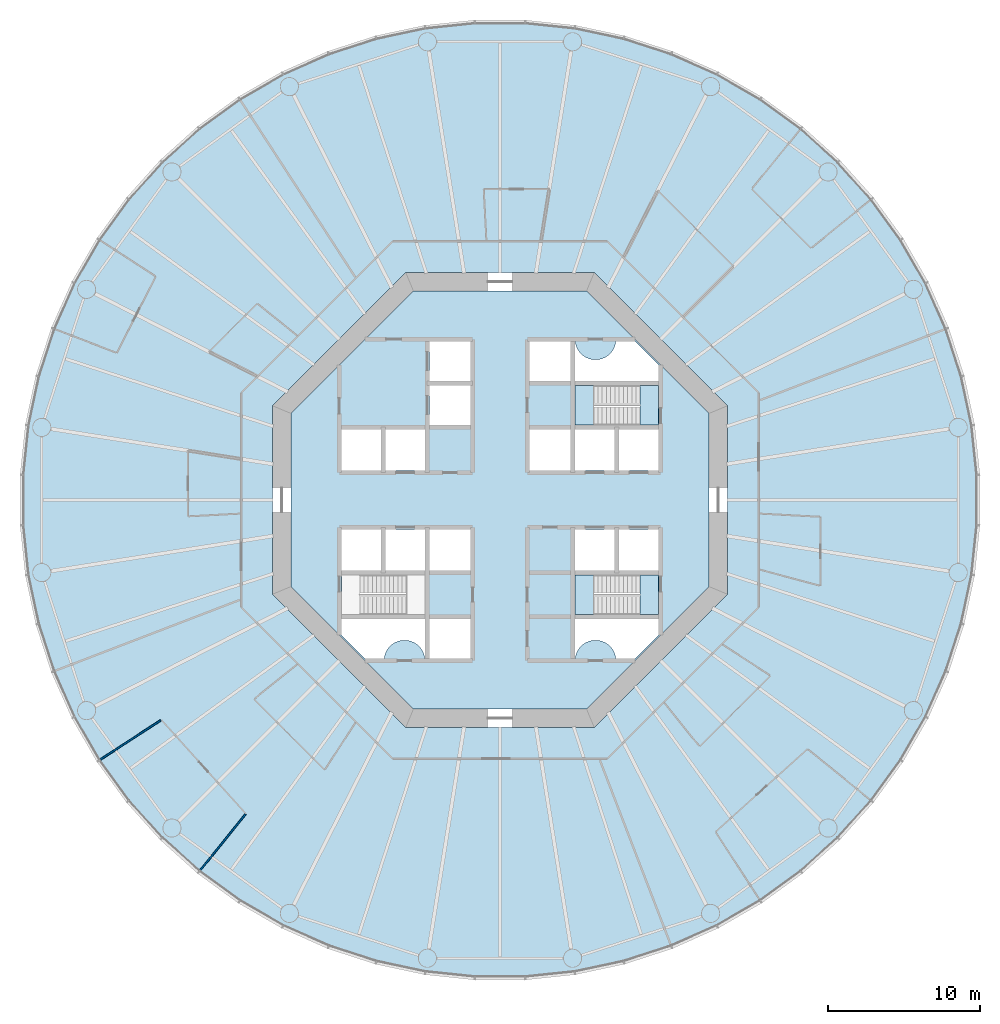
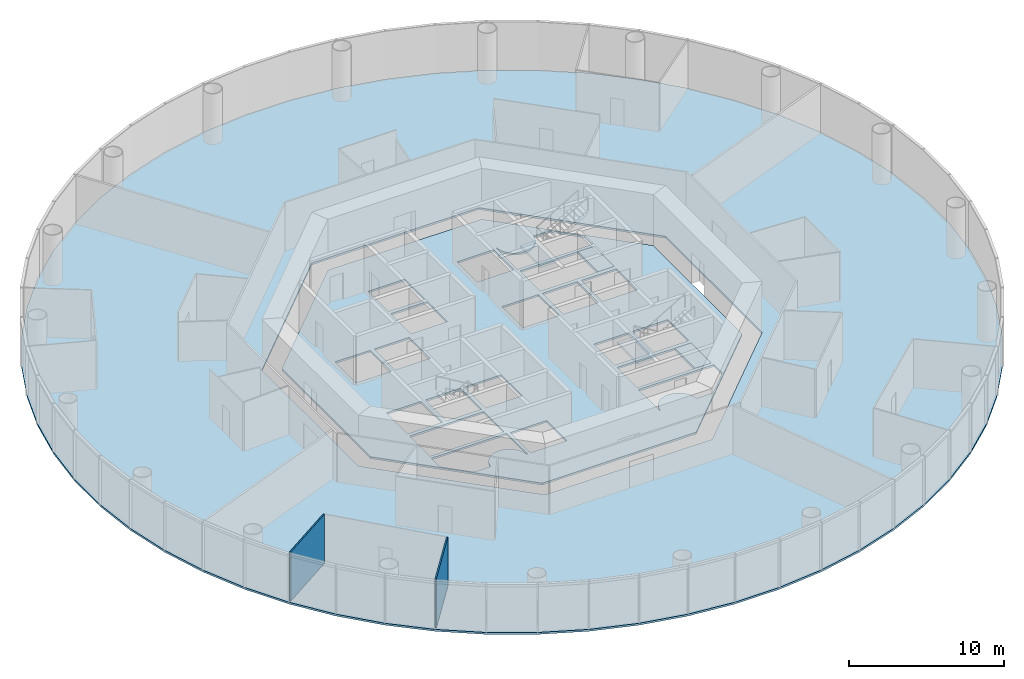
# One storey, part 2 of 13: 6 slabs, 2 walls, 2 elements without a shape of their own.
"""IFC4 building model written with IfcOpenShell, lengths in metres."""

from ifc_helpers import new_model, si_unit, direction, frame, frame_2d, origin, place, context, subcontext, project, spatial, polyline, rectangle, outline, extrude, material, layer, layer_set, type_object, element, aggregate, save


model = new_model("IFC4")

# Units and contexts
model_context = context("Model", 3, precision=1e-05, world=origin(), true_north=direction((0.0, 1.0)))
body_context = subcontext(model_context, "Body", "Model", "MODEL_VIEW")
ifc_project = project(units=[si_unit("LENGTHUNIT", "METRE"), si_unit("AREAUNIT", "SQUARE_METRE"), si_unit("VOLUMEUNIT", "CUBIC_METRE"), si_unit("PLANEANGLEUNIT", "RADIAN"), si_unit("MASSUNIT", "GRAM", prefix="KILO")], contexts=[model_context])

# Site, building, storey
site_placement = place(None, origin())
site = spatial("IfcSite", under=ifc_project, at=site_placement, CompositionType="ELEMENT")
building_placement = place(site_placement, origin())
building = spatial("IfcBuilding", under=site, at=building_placement, Name="Entoto Ring Tower", CompositionType="ELEMENT")
storey_placement = place(building_placement, frame((0.0, 0.0, 108.0)))
storey = spatial("IfcBuildingStorey", under=building, at=storey_placement, Name="L24", CompositionType="ELEMENT", Elevation=108.0)

# Slabs
ifc_material_1 = material(Name="Concrete C30/37", Category="concrete")
ifc_layer_1 = layer(ifc_material_1, 0.14990234375)
ifc_layer_set_1 = layer_set([ifc_layer_1], Name="Concrete C30/37")
slab_type_1 = type_object("IfcSlabType", Name="Composite floor slab 150 mm", PredefinedType="FLOOR", material=ifc_layer_set_1)
slab_1_placement = place(storey_placement, frame((0.0, 0.0, -0.14990234375)))
element("IfcSlab", 1, at=slab_1_placement, inside=storey, type_object=slab_type_1, Name="Floor slab L24", PredefinedType="FLOOR", context=body_context, shape_type="SweptSolid", body=[
    extrude(outline(polyline([(121.2109375, 84.943359375), (120.523193359375, 88.1787109375), (119.501220703125, 91.324462890625), (118.15576171875, 94.34619140625), (116.501953125, 97.210693359375), (114.557861328125, 99.886474609375), (112.344482421875, 102.344482421875), (109.886474609375, 104.557861328125), (107.210693359375, 106.501953125), (104.34619140625, 108.15576171875), (101.324462890625, 109.501220703125), (98.1787109375, 110.523193359375), (94.943359375, 111.2109375), (91.65380859375, 111.556640625), (88.34619140625, 111.556640625), (85.056640625, 111.2109375), (81.8212890625, 110.523193359375), (78.675537109375, 109.501220703125), (75.65380859375, 108.15576171875), (72.789306640625, 106.501953125), (70.113525390625, 104.557861328125), (67.655517578125, 102.344482421875), (65.442138671875, 99.886474609375), (63.498046875, 97.210693359375), (61.84423828125, 94.34619140625), (60.498779296875, 91.324462890625), (59.476806640625, 88.1787109375), (58.7890625, 84.943359375), (58.443359375, 81.65380859375), (58.443359375, 78.34619140625), (58.7890625, 75.056640625), (59.476806640625, 71.8212890625), (60.498779296875, 68.675537109375), (61.84423828125, 65.65380859375), (63.498046875, 62.789306640625), (65.442138671875, 60.113525390625), (67.655517578125, 57.655517578125), (70.113525390625, 55.442138671875), (72.789306640625, 53.498046875), (75.65380859375, 51.84423828125), (78.675537109375, 50.498779296875), (81.8212890625, 49.476806640625), (85.056640625, 48.7890625), (88.34619140625, 48.443359375), (91.65380859375, 48.443359375), (94.943359375, 48.7890625), (98.1787109375, 49.476806640625), (101.324462890625, 50.498779296875), (104.34619140625, 51.84423828125), (107.210693359375, 53.498046875), (109.886474609375, 55.442138671875), (112.344482421875, 57.655517578125), (114.557861328125, 60.113525390625), (116.501953125, 62.789306640625), (118.15576171875, 65.65380859375), (119.501220703125, 68.675537109375), (120.523193359375, 71.8212890625), (121.2109375, 75.056640625), (121.556640625, 78.34619140625), (121.556640625, 81.65380859375), (121.2109375, 84.943359375)]), holes=[polyline([(105.0, 73.786865234375), (105.0, 86.213134765625), (96.213134765625, 95.0), (83.786865234375, 95.0), (75.0, 86.213134765625), (75.0, 73.786865234375), (83.786865234375, 65.0), (96.213134765625, 65.0), (105.0, 73.786865234375)])]), origin(), (0.0, 0.0, 1.0), 0.14990234375),
])
ifc_material_2 = material(Name="Concrete C40/50", Category="concrete")
ifc_layer_2 = layer(ifc_material_2, 0.14990234375)
ifc_layer_set_2 = layer_set([ifc_layer_2], Name="Concrete C40/50")
slab_type_2 = type_object("IfcSlabType", Name="Core floor slab 150 mm reinforced concrete C40/50", PredefinedType="FLOOR", material=ifc_layer_set_2)
slab_2_placement = place(storey_placement, frame((0.0, 0.0, -0.14990234375)))
element("IfcSlab", 2, at=slab_2_placement, inside=storey, type_object=slab_type_2, Name="Core floor L24", PredefinedType="FLOOR", context=body_context, shape_type="SweptSolid", body=[
    extrude(outline(polyline([(103.800048828125, 74.283935546875), (103.800048828125, 85.716064453125), (95.716064453125, 93.800048828125), (84.283935546875, 93.800048828125), (76.199951171875, 85.716064453125), (76.199951171875, 74.283935546875), (84.283935546875, 66.199951171875), (95.716064453125, 66.199951171875), (103.800048828125, 74.283935546875)]), holes=[polyline([(100.449951171875, 84.949951171875), (100.449951171875, 87.550048828125), (94.949951171875, 87.550048828125), (94.949951171875, 84.949951171875), (100.449951171875, 84.949951171875)]), polyline([(85.050048828125, 72.449951171875), (85.050048828125, 75.050048828125), (79.550048828125, 75.050048828125), (79.550048828125, 72.449951171875), (85.050048828125, 72.449951171875)]), polyline([(100.449951171875, 72.449951171875), (100.449951171875, 75.050048828125), (94.949951171875, 75.050048828125), (94.949951171875, 72.449951171875), (100.449951171875, 72.449951171875)]), polyline([(94.949951171875, 81.949951171875), (97.550048828125, 81.949951171875), (97.550048828125, 84.64990234375), (94.949951171875, 84.64990234375), (94.949951171875, 81.949951171875)]), polyline([(97.85009765625, 81.949951171875), (100.449951171875, 81.949951171875), (100.449951171875, 84.64990234375), (97.85009765625, 84.64990234375), (97.85009765625, 81.949951171875)]), polyline([(82.449951171875, 81.949951171875), (85.050048828125, 81.949951171875), (85.050048828125, 84.64990234375), (82.449951171875, 84.64990234375), (82.449951171875, 81.949951171875)]), polyline([(94.949951171875, 75.35009765625), (97.550048828125, 75.35009765625), (97.550048828125, 78.050048828125), (94.949951171875, 78.050048828125), (94.949951171875, 75.35009765625)]), polyline([(97.85009765625, 75.35009765625), (100.449951171875, 75.35009765625), (100.449951171875, 78.050048828125), (97.85009765625, 78.050048828125), (97.85009765625, 75.35009765625)]), polyline([(82.449951171875, 75.35009765625), (85.050048828125, 75.35009765625), (85.050048828125, 78.050048828125), (82.449951171875, 78.050048828125), (82.449951171875, 75.35009765625)]), polyline([(79.550048828125, 81.949951171875), (82.14990234375, 81.949951171875), (82.14990234375, 84.64990234375), (79.550048828125, 84.64990234375), (79.550048828125, 81.949951171875)]), polyline([(79.550048828125, 75.35009765625), (82.14990234375, 75.35009765625), (82.14990234375, 78.050048828125), (79.550048828125, 78.050048828125), (79.550048828125, 75.35009765625)]), polyline([(91.949951171875, 87.85009765625), (94.64990234375, 87.85009765625), (94.64990234375, 90.449951171875), (91.949951171875, 90.449951171875), (91.949951171875, 87.85009765625)]), polyline([(85.35009765625, 69.550048828125), (88.050048828125, 69.550048828125), (88.050048828125, 72.14990234375), (85.35009765625, 72.14990234375), (85.35009765625, 69.550048828125)]), polyline([(91.949951171875, 81.949951171875), (94.64990234375, 81.949951171875), (94.64990234375, 84.64990234375), (91.949951171875, 84.64990234375), (91.949951171875, 81.949951171875)]), polyline([(85.35009765625, 75.35009765625), (88.050048828125, 75.35009765625), (88.050048828125, 78.050048828125), (85.35009765625, 78.050048828125), (85.35009765625, 75.35009765625)]), polyline([(85.35009765625, 84.949951171875), (88.050048828125, 84.949951171875), (88.050048828125, 87.550048828125), (85.35009765625, 87.550048828125), (85.35009765625, 84.949951171875)]), polyline([(85.35009765625, 87.85009765625), (88.050048828125, 87.85009765625), (88.050048828125, 90.449951171875), (85.35009765625, 90.449951171875), (85.35009765625, 87.85009765625)]), polyline([(94.89990234375, 90.5), (94.89990234375, 87.800048828125), (100.5, 87.800048828125), (100.5, 88.874755859375), (98.874755859375, 90.5), (97.64501953125, 90.5), (97.6435546875, 90.4677734375), (97.6240234375, 90.336669921875), (97.591796875, 90.2080078125), (97.547119140625, 90.08349609375), (97.490478515625, 89.963623046875), (97.422607421875, 89.85009765625), (97.343505859375, 89.74365234375), (97.254638671875, 89.6455078125), (97.156494140625, 89.556396484375), (97.050048828125, 89.4775390625), (96.936279296875, 89.409423828125), (96.816650390625, 89.352783203125), (96.69189453125, 89.30810546875), (96.5634765625, 89.27587890625), (96.432373046875, 89.256591796875), (96.300048828125, 89.25), (96.167724609375, 89.256591796875), (96.03662109375, 89.27587890625), (95.908203125, 89.30810546875), (95.783447265625, 89.352783203125), (95.66357421875, 89.409423828125), (95.550048828125, 89.4775390625), (95.443603515625, 89.556396484375), (95.345458984375, 89.6455078125), (95.25634765625, 89.74365234375), (95.177490234375, 89.85009765625), (95.109375, 89.963623046875), (95.052734375, 90.08349609375), (95.008056640625, 90.2080078125), (94.975830078125, 90.336669921875), (94.95654296875, 90.4677734375), (94.954833984375, 90.5), (94.89990234375, 90.5)]), polyline([(79.5, 71.125244140625), (81.125244140625, 69.5), (82.35498046875, 69.5), (82.3564453125, 69.5322265625), (82.3759765625, 69.663330078125), (82.408203125, 69.7919921875), (82.452880859375, 69.91650390625), (82.509521484375, 70.036376953125), (82.577392578125, 70.14990234375), (82.656494140625, 70.25634765625), (82.745361328125, 70.3544921875), (82.843505859375, 70.443603515625), (82.949951171875, 70.5224609375), (83.063720703125, 70.590576171875), (83.183349609375, 70.647216796875), (83.30810546875, 70.69189453125), (83.4365234375, 70.72412109375), (83.567626953125, 70.743408203125), (83.699951171875, 70.75), (83.832275390625, 70.743408203125), (83.96337890625, 70.72412109375), (84.091796875, 70.69189453125), (84.216552734375, 70.647216796875), (84.33642578125, 70.590576171875), (84.449951171875, 70.5224609375), (84.556396484375, 70.443603515625), (84.654541015625, 70.3544921875), (84.74365234375, 70.25634765625), (84.822509765625, 70.14990234375), (84.890625, 70.036376953125), (84.947265625, 69.91650390625), (84.991943359375, 69.7919921875), (85.024169921875, 69.663330078125), (85.04345703125, 69.5322265625), (85.045166015625, 69.5), (85.10009765625, 69.5), (85.10009765625, 72.199951171875), (79.5, 72.199951171875), (79.5, 71.125244140625)]), polyline([(97.64501953125, 69.5), (98.874755859375, 69.5), (100.5, 71.125244140625), (100.5, 72.199951171875), (94.89990234375, 72.199951171875), (94.89990234375, 69.5), (94.954833984375, 69.5), (94.95654296875, 69.5322265625), (94.975830078125, 69.663330078125), (95.008056640625, 69.7919921875), (95.052734375, 69.91650390625), (95.109375, 70.036376953125), (95.177490234375, 70.14990234375), (95.25634765625, 70.25634765625), (95.345458984375, 70.3544921875), (95.443603515625, 70.443603515625), (95.550048828125, 70.5224609375), (95.66357421875, 70.590576171875), (95.783447265625, 70.647216796875), (95.908203125, 70.69189453125), (96.03662109375, 70.72412109375), (96.167724609375, 70.743408203125), (96.300048828125, 70.75), (96.432373046875, 70.743408203125), (96.5634765625, 70.72412109375), (96.69189453125, 70.69189453125), (96.816650390625, 70.647216796875), (96.936279296875, 70.590576171875), (97.050048828125, 70.5224609375), (97.156494140625, 70.443603515625), (97.254638671875, 70.3544921875), (97.343505859375, 70.25634765625), (97.422607421875, 70.14990234375), (97.490478515625, 70.036376953125), (97.547119140625, 69.91650390625), (97.591796875, 69.7919921875), (97.6240234375, 69.663330078125), (97.6435546875, 69.5322265625), (97.64501953125, 69.5)])]), origin(), (0.0, 0.0, 1.0), 0.14990234375),
])

# Stair, slabs
ifc_material_3 = material(Name="Concrete C40/50", Category="concrete")
stair_type = type_object("IfcStairType", Name="Exit stair 1200 mm dog-leg reinforced concrete", PredefinedType="HALF_TURN_STAIR", material=ifc_material_3)
stair_1_placement = place(storey_placement, origin())
stair_1 = element("IfcStair", 3, at=stair_1_placement, inside=storey, type_object=stair_type, Name="Exit stair 1", PredefinedType="HALF_TURN_STAIR")
ifc_material_4 = material(Name="Concrete C40/50", Category="concrete")
ifc_layer_3 = layer(ifc_material_4, 0.199951171875)
ifc_layer_set_3 = layer_set([ifc_layer_3], Name="Concrete C40/50")
slab_type_3 = type_object("IfcSlabType", Name="Stair landing 200 mm reinforced concrete", PredefinedType="LANDING", material=ifc_layer_set_3)
slab_3_placement = place(storey_placement, frame((0.0, 0.0, -0.199951171875)))
slab_3 = element("IfcSlab", 4, at=slab_3_placement, type_object=slab_type_3, Name="ST1 landing 1", PredefinedType="LANDING", context=body_context, shape_type="SweptSolid", body=[
    extrude(outline(polyline([(100.449951171875, 84.949951171875), (100.449951171875, 87.550048828125), (99.25, 87.550048828125), (99.25, 84.949951171875), (100.449951171875, 84.949951171875)])), origin(), (0.0, 0.0, 1.0), 0.199951171875),
])
slab_4_placement = place(storey_placement, frame((0.0, 0.0, 1.800048828125)))
slab_4 = element("IfcSlab", 5, at=slab_4_placement, type_object=slab_type_3, Name="ST1 landing 2", PredefinedType="LANDING", context=body_context, shape_type="SweptSolid", body=[
    extrude(outline(polyline([(94.949951171875, 84.949951171875), (96.169921875, 84.949951171875), (96.169921875, 87.550048828125), (94.949951171875, 87.550048828125), (94.949951171875, 84.949951171875)])), origin(), (0.0, 0.0, 1.0), 0.199951171875),
])
aggregate(stair_1, [slab_3, slab_4])

stair_2_placement = place(storey_placement, origin())
stair_2 = element("IfcStair", 6, at=stair_2_placement, inside=storey, type_object=stair_type, Name="Exit stair 3", PredefinedType="HALF_TURN_STAIR")
slab_5_placement = place(storey_placement, frame((0.0, 0.0, -0.199951171875)))
slab_5 = element("IfcSlab", 7, at=slab_5_placement, type_object=slab_type_3, Name="ST3 landing 1", PredefinedType="LANDING", context=body_context, shape_type="SweptSolid", body=[
    extrude(outline(polyline([(100.449951171875, 72.449951171875), (100.449951171875, 75.050048828125), (99.25, 75.050048828125), (99.25, 72.449951171875), (100.449951171875, 72.449951171875)])), origin(), (0.0, 0.0, 1.0), 0.199951171875),
])
slab_6_placement = place(storey_placement, frame((0.0, 0.0, 1.800048828125)))
slab_6 = element("IfcSlab", 8, at=slab_6_placement, type_object=slab_type_3, Name="ST3 landing 2", PredefinedType="LANDING", context=body_context, shape_type="SweptSolid", body=[
    extrude(outline(polyline([(94.949951171875, 72.449951171875), (96.169921875, 72.449951171875), (96.169921875, 75.050048828125), (94.949951171875, 75.050048828125), (94.949951171875, 72.449951171875)])), origin(), (0.0, 0.0, 1.0), 0.199951171875),
])
aggregate(stair_2, [slab_5, slab_6])

# Walls
ifc_material_5 = material(Name="Plasterboard on steel studs", Category="steel")
ifc_layer_4 = layer(ifc_material_5, 0.10009765625)
ifc_layer_set_4 = layer_set([ifc_layer_4], Name="Plasterboard on steel studs")
wall_type = type_object("IfcWallType", Name="Partition 100 mm plasterboard on steel studs", PredefinedType="PARTITIONING", material=ifc_layer_set_4)
wall_1_placement = place(storey_placement, frame((63.632080078125, 62.87646484375, 0.0), z_axis=(0.0, 0.0, 1.0), x_axis=(0.838656789212, 0.544660251817, 0.0)))
element("IfcWall", 9, at=wall_1_placement, inside=storey, type_object=wall_type, Name="partition-L24-025", PredefinedType="PARTITIONING", context=body_context, shape_type="SweptSolid", body=[
    extrude(rectangle(XDim=4.7607421875, YDim=0.10009765625, at=frame_2d((2.38037109375, 0.0))), origin(), (0.0, 0.0, 1.0), 3.85009765625),
])
wall_2_placement = place(storey_placement, frame((70.214111328125, 55.56640625, 0.0), z_axis=(0.0, 0.0, 1.0), x_axis=(0.62931181132, 0.777152909107, 0.0)))
element("IfcWall", 10, at=wall_2_placement, inside=storey, type_object=wall_type, Name="partition-L24-026", PredefinedType="PARTITIONING", context=body_context, shape_type="SweptSolid", body=[
    extrude(rectangle(XDim=4.760986328125, YDim=0.10009765625, at=frame_2d((2.38037109375, 0.0))), origin(), (0.0, 0.0, 1.0), 3.85009765625),
])

save(model, "model.ifc")
